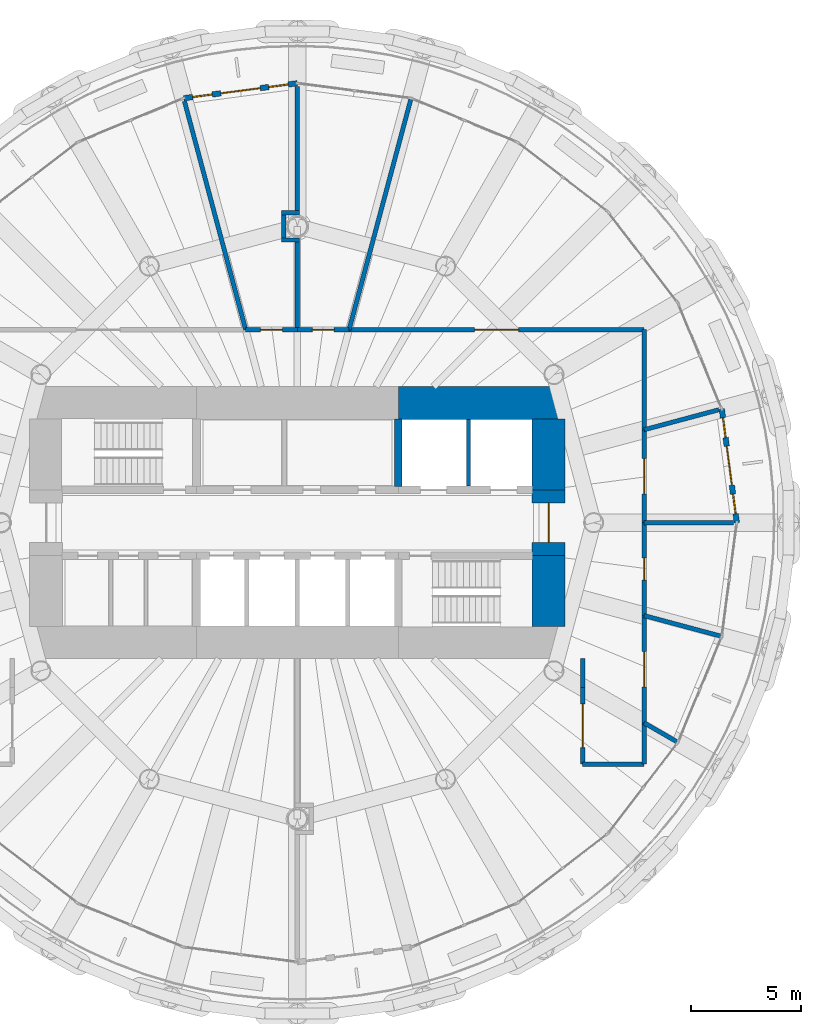
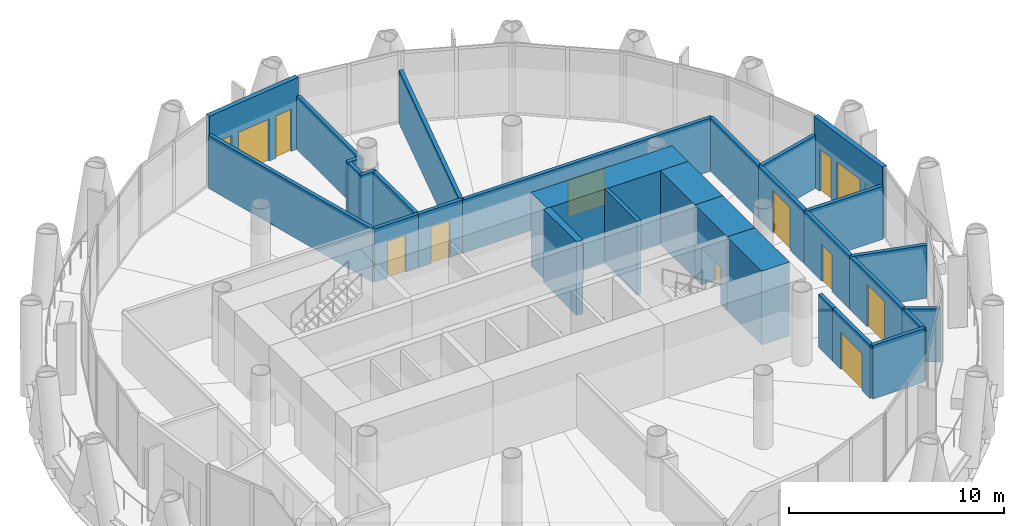
# One storey, part 10 of 14: 30 walls, 10 doors, 4 windows, 14 openings.
"""IFC4 building model written with IfcOpenShell, lengths in metres."""

from ifc_helpers import new_model, si_unit, direction, frame, frame_2d, origin, place, context, subcontext, project, spatial, rectangle, extrude, material, layer, layer_set, type_object, element, fill, save


model = new_model("IFC4")

# Units and contexts
model_context = context("Model", 3, precision=1e-05, world=origin(), true_north=direction((0.0, 1.0)))
body_context = subcontext(model_context, "Body", "Model", "MODEL_VIEW")
ifc_project = project(units=[si_unit("LENGTHUNIT", "METRE"), si_unit("AREAUNIT", "SQUARE_METRE"), si_unit("VOLUMEUNIT", "CUBIC_METRE"), si_unit("PLANEANGLEUNIT", "RADIAN"), si_unit("MASSUNIT", "GRAM", prefix="KILO")], contexts=[model_context])

# Site, building, storey
site_placement = place(None, origin())
site = spatial("IfcSite", under=ifc_project, at=site_placement, CompositionType="ELEMENT")
building_placement = place(site_placement, origin())
building = spatial("IfcBuilding", under=site, at=building_placement, Name="Qaws Media Tower", CompositionType="ELEMENT")
storey_placement = place(building_placement, frame((0.0, 0.0, 240.199951171875)))
storey = spatial("IfcBuildingStorey", under=building, at=storey_placement, Name="L55", CompositionType="ELEMENT", Elevation=240.199951171875)

# Wall, openings, door, windows
ifc_material_1 = material(Name="Precast concrete, exposed finish", Category="concrete")
ifc_layer_1 = layer(ifc_material_1, 0.25)
ifc_layer_set_1 = layer_set([ifc_layer_1], Name="Balcony door wall 250")
wall_type_1 = type_object("IfcWallType", Name="Balcony door wall 250", PredefinedType="SOLIDWALL", material=ifc_layer_set_1)
wall_1_placement = place(storey_placement, frame((80.02490234375, 50.0, 0.0), z_axis=(0.0, 0.0, 1.0), x_axis=(-0.130487131216, 0.99145000307, 0.0)))
wall_1 = element("IfcWall", 1, at=wall_1_placement, inside=storey, type_object=wall_type_1, Name="W259 EW1 balcony door wall L55-01", PredefinedType="SOLIDWALL", context=body_context, shape_type="SweptSolid", body=[
    extrude(rectangle(XDim=5.2275390625, YDim=0.25, at=frame_2d((2.61376953125, 0.0))), origin(), (0.0, 0.0, 1.0), 4.0400390625),
])
opening_1_placement = place(wall_1_placement, frame((1.7138671875, 0.0, 0.0)))
opening_1 = element("IfcOpeningElement", 2, at=opening_1_placement, cuts=wall_1, Name="Opening D7", PredefinedType="OPENING", context=body_context, shape_type="SweptSolid", body=[
    extrude(rectangle(XDim=1.800048828125, YDim=2.39990234375, at=frame_2d((0.89990234375, 1.199951171875))), frame((0.0, 0.135009765625, 0.0), z_axis=(0.0, -1.0, 0.0), x_axis=(1.0, 0.0, 0.0)), (0.0, 0.0, 1.0), 0.27001953125),
])
opening_2_placement = place(wall_1_placement, frame((0.413818359375, 0.0, 0.0)))
opening_2 = element("IfcOpeningElement", 3, at=opening_2_placement, cuts=wall_1, Name="Opening W7", PredefinedType="OPENING", context=body_context, shape_type="SweptSolid", body=[
    extrude(rectangle(XDim=0.89990234375, YDim=2.39990234375, at=frame_2d((0.449951171875, 1.199951171875))), frame((0.0, 0.135009765625, 0.0), z_axis=(0.0, -1.0, 0.0), x_axis=(1.0, 0.0, 0.0)), (0.0, 0.0, 1.0), 0.27001953125),
])
opening_3_placement = place(wall_1_placement, frame((3.913818359375, 0.0, 0.0)))
opening_3 = element("IfcOpeningElement", 4, at=opening_3_placement, cuts=wall_1, Name="Opening W7", PredefinedType="OPENING", context=body_context, shape_type="SweptSolid", body=[
    extrude(rectangle(XDim=0.89990234375, YDim=2.39990234375, at=frame_2d((0.449951171875, 1.199951171875))), frame((0.0, 0.135009765625, 0.0), z_axis=(0.0, -1.0, 0.0), x_axis=(1.0, 0.0, 0.0)), (0.0, 0.0, 1.0), 0.27001953125),
])
ifc_material_2 = material(Name="Aluminium and clear glass", Category="aluminium")
door_type_1 = type_object("IfcDoorType", Name="Balcony door pair 1800", OperationType="DOUBLE_DOOR_SLIDING", PredefinedType="DOOR", material=ifc_material_2)
door_1_placement = place(opening_1_placement, origin())
door_1 = element("IfcDoor", 5, at=door_1_placement, inside=storey, type_object=door_type_1, Name="D7 balcony door L55-01 in wall W259", OperationType="DOUBLE_DOOR_SLIDING", OverallHeight=2.39990234375, OverallWidth=1.800048828125, PredefinedType="DOOR", context=body_context, shape_type="SweptSolid", body=[
    extrude(rectangle(XDim=1.800048828125, YDim=2.39990234375, at=frame_2d((0.89990234375, 1.199951171875))), frame((0.0, 0.02490234375, 0.0), z_axis=(0.0, -1.0, 0.0), x_axis=(1.0, 0.0, 0.0)), (0.0, 0.0, 1.0), 0.050048828125),
])
fill(opening_1, door_1)
ifc_material_3 = material(Name="Aluminium and clear glass", Category="aluminium")
window_type = type_object("IfcWindowType", Name="Balcony side window 900", PartitioningType="SINGLE_PANEL", PredefinedType="WINDOW", material=ifc_material_3)
window_1_placement = place(opening_2_placement, origin())
window_1 = element("IfcWindow", 6, at=window_1_placement, inside=storey, type_object=window_type, Name="W1 balcony side light L55-01L", OverallHeight=2.39990234375, OverallWidth=0.89990234375, PartitioningType="SINGLE_PANEL", PredefinedType="WINDOW", context=body_context, shape_type="SweptSolid", body=[
    extrude(rectangle(XDim=0.89990234375, YDim=2.39990234375, at=frame_2d((0.449951171875, 1.199951171875))), frame((0.0, 0.030029296875, 0.0), z_axis=(0.0, -1.0, 0.0), x_axis=(1.0, 0.0, 0.0)), (0.0, 0.0, 1.0), 0.06005859375),
])
fill(opening_2, window_1)
window_2_placement = place(opening_3_placement, origin())
window_2 = element("IfcWindow", 7, at=window_2_placement, inside=storey, type_object=window_type, Name="W1 balcony side light L55-01R", OverallHeight=2.39990234375, OverallWidth=0.89990234375, PartitioningType="SINGLE_PANEL", PredefinedType="WINDOW", context=body_context, shape_type="SweptSolid", body=[
    extrude(rectangle(XDim=0.89990234375, YDim=2.39990234375, at=frame_2d((0.449951171875, 1.199951171875))), frame((0.0, 0.030029296875, 0.0), z_axis=(0.0, -1.0, 0.0), x_axis=(1.0, 0.0, 0.0)), (0.0, 0.0, 1.0), 0.06005859375),
])
fill(opening_3, window_2)

wall_2_placement = place(storey_placement, frame((60.0, 70.02490234375, 0.0), z_axis=(0.0, 0.0, 1.0), x_axis=(-0.99145000307, -0.130487131216, 0.0)))
wall_2 = element("IfcWall", 8, at=wall_2_placement, inside=storey, type_object=wall_type_1, Name="W258 EW1 balcony door wall L55-07", PredefinedType="SOLIDWALL", context=body_context, shape_type="SweptSolid", body=[
    extrude(rectangle(XDim=5.2275390625, YDim=0.25, at=frame_2d((2.61376953125, 0.0))), origin(), (0.0, 0.0, 1.0), 4.0400390625),
])
opening_4_placement = place(wall_2_placement, frame((1.7138671875, 0.0, 0.0)))
opening_4 = element("IfcOpeningElement", 9, at=opening_4_placement, cuts=wall_2, Name="Opening D7", PredefinedType="OPENING", context=body_context, shape_type="SweptSolid", body=[
    extrude(rectangle(XDim=1.800048828125, YDim=2.39990234375, at=frame_2d((0.89990234375, 1.199951171875))), frame((0.0, 0.135009765625, 0.0), z_axis=(0.0, -1.0, 0.0), x_axis=(1.0, 0.0, 0.0)), (0.0, 0.0, 1.0), 0.27001953125),
])
opening_5_placement = place(wall_2_placement, frame((0.413818359375, 0.0, 0.0)))
opening_5 = element("IfcOpeningElement", 10, at=opening_5_placement, cuts=wall_2, Name="Opening W7", PredefinedType="OPENING", context=body_context, shape_type="SweptSolid", body=[
    extrude(rectangle(XDim=0.89990234375, YDim=2.39990234375, at=frame_2d((0.449951171875, 1.199951171875))), frame((0.0, 0.135009765625, 0.0), z_axis=(0.0, -1.0, 0.0), x_axis=(1.0, 0.0, 0.0)), (0.0, 0.0, 1.0), 0.27001953125),
])
opening_6_placement = place(wall_2_placement, frame((3.913818359375, 0.0, 0.0)))
opening_6 = element("IfcOpeningElement", 11, at=opening_6_placement, cuts=wall_2, Name="Opening W7", PredefinedType="OPENING", context=body_context, shape_type="SweptSolid", body=[
    extrude(rectangle(XDim=0.89990234375, YDim=2.39990234375, at=frame_2d((0.449951171875, 1.199951171875))), frame((0.0, 0.135009765625, 0.0), z_axis=(0.0, -1.0, 0.0), x_axis=(1.0, 0.0, 0.0)), (0.0, 0.0, 1.0), 0.27001953125),
])
door_2_placement = place(opening_4_placement, origin())
door_2 = element("IfcDoor", 12, at=door_2_placement, inside=storey, type_object=door_type_1, Name="D7 balcony door L55-07 in wall W258", OperationType="DOUBLE_DOOR_SLIDING", OverallHeight=2.39990234375, OverallWidth=1.800048828125, PredefinedType="DOOR", context=body_context, shape_type="SweptSolid", body=[
    extrude(rectangle(XDim=1.800048828125, YDim=2.39990234375, at=frame_2d((0.89990234375, 1.199951171875))), frame((0.0, 0.02490234375, 0.0), z_axis=(0.0, -1.0, 0.0), x_axis=(1.0, 0.0, 0.0)), (0.0, 0.0, 1.0), 0.050048828125),
])
fill(opening_4, door_2)
window_3_placement = place(opening_5_placement, origin())
window_3 = element("IfcWindow", 13, at=window_3_placement, inside=storey, type_object=window_type, Name="W1 balcony side light L55-07L", OverallHeight=2.39990234375, OverallWidth=0.89990234375, PartitioningType="SINGLE_PANEL", PredefinedType="WINDOW", context=body_context, shape_type="SweptSolid", body=[
    extrude(rectangle(XDim=0.89990234375, YDim=2.39990234375, at=frame_2d((0.449951171875, 1.199951171875))), frame((0.0, 0.030029296875, 0.0), z_axis=(0.0, -1.0, 0.0), x_axis=(1.0, 0.0, 0.0)), (0.0, 0.0, 1.0), 0.06005859375),
])
fill(opening_5, window_3)
window_4_placement = place(opening_6_placement, origin())
window_4 = element("IfcWindow", 14, at=window_4_placement, inside=storey, type_object=window_type, Name="W1 balcony side light L55-07R", OverallHeight=2.39990234375, OverallWidth=0.89990234375, PartitioningType="SINGLE_PANEL", PredefinedType="WINDOW", context=body_context, shape_type="SweptSolid", body=[
    extrude(rectangle(XDim=0.89990234375, YDim=2.39990234375, at=frame_2d((0.449951171875, 1.199951171875))), frame((0.0, 0.030029296875, 0.0), z_axis=(0.0, -1.0, 0.0), x_axis=(1.0, 0.0, 0.0)), (0.0, 0.0, 1.0), 0.06005859375),
])
fill(opening_6, window_4)

# Walls
ifc_material_4 = material(Name="Concrete C60/75", Category="concrete")
ifc_layer_2 = layer(ifc_material_4, 0.35009765625)
ifc_layer_set_2 = layer_set([ifc_layer_2], Name="Core inner wall 350")
wall_type_2 = type_object("IfcWallType", Name="Core inner wall 350", PredefinedType="SHEAR", material=ifc_layer_set_2)
wall_3_placement = place(storey_placement, frame((64.60009765625, 51.655029296875, 0.0), z_axis=(0.0, 0.0, 1.0), x_axis=(0.0, 1.0, 0.0)))
element("IfcWall", 15, at=wall_3_placement, inside=storey, type_object=wall_type_2, Name="W309 SW5 core wall XNE L55", PredefinedType="SHEAR", context=body_context, shape_type="SweptSolid", body=[
    extrude(rectangle(XDim=3.06494140625, YDim=0.35009765625, at=frame_2d((1.532470703125, 0.0))), origin(), (0.0, 0.0, 1.0), 4.199951171875),
])
ifc_material_5 = material(Name="Concrete C60/75", Category="concrete")
ifc_layer_3 = layer(ifc_material_5, 1.5)
ifc_layer_set_3 = layer_set([ifc_layer_3], Name="Core wall 1500")
wall_type_3 = type_object("IfcWallType", Name="Core wall 1500", PredefinedType="SHEAR", material=ifc_layer_set_3)
wall_4_placement = place(storey_placement, frame((64.60009765625, 55.449951171875, 0.0), z_axis=(0.0, 0.0, 1.0), x_axis=(1.0, 0.0, 0.0)))
element("IfcWall", 16, at=wall_4_placement, inside=storey, type_object=wall_type_3, Name="W382 SW13 core wall NE L55", PredefinedType="SHEAR", context=body_context, shape_type="SweptSolid", body=[
    extrude(rectangle(XDim=7.599853515625, YDim=1.5, at=frame_2d((3.7998046875, 0.0))), origin(), (0.0, 0.0, 1.0), 4.199951171875),
])
wall_5_placement = place(storey_placement, frame((71.449951171875, 45.280029296875, 0.0), z_axis=(0.0, 0.0, 1.0), x_axis=(0.0, 1.0, 0.0)))
element("IfcWall", 17, at=wall_5_placement, inside=storey, type_object=wall_type_3, Name="W383 SW13 core wall ES L55", PredefinedType="SHEAR", context=body_context, shape_type="SweptSolid", body=[
    extrude(rectangle(XDim=3.219970703125, YDim=1.5, at=frame_2d((1.60986328125, 0.0))), origin(), (0.0, 0.0, 1.0), 4.199951171875),
])

# Wall, opening, door
wall_6_placement = place(storey_placement, frame((71.449951171875, 48.5, 0.0), z_axis=(0.0, 0.0, 1.0), x_axis=(0.0, 1.0, 0.0)))
wall_6 = element("IfcWall", 18, at=wall_6_placement, inside=storey, type_object=wall_type_3, Name="W384 SW13 core wall E L55", PredefinedType="SHEAR", context=body_context, shape_type="SweptSolid", body=[
    extrude(rectangle(XDim=3.0, YDim=1.5, at=frame_2d((1.5, 0.0))), origin(), (0.0, 0.0, 1.0), 4.199951171875),
])
opening_7_placement = place(wall_6_placement, frame((0.60009765625, 0.0, 0.0)))
opening_7 = element("IfcOpeningElement", 19, at=opening_7_placement, cuts=wall_6, Name="Opening D2", PredefinedType="OPENING", context=body_context, shape_type="SweptSolid", body=[
    extrude(rectangle(XDim=1.800048828125, YDim=2.10009765625, at=frame_2d((0.89990234375, 1.050048828125))), frame((0.0, 0.760009765625, 0.0), z_axis=(0.0, -1.0, 0.0), x_axis=(1.0, 0.0, 0.0)), (0.0, 0.0, 1.0), 1.52001953125),
])
ifc_material_6 = material(Name="Steel and glass, fire rated", Category="steel")
door_type_2 = type_object("IfcDoorType", Name="Lobby door pair 1800 FD60", OperationType="DOUBLE_DOOR_DOUBLE_SWING", PredefinedType="DOOR", material=ifc_material_6)
door_3_placement = place(opening_7_placement, origin())
door_3 = element("IfcDoor", 20, at=door_3_placement, inside=storey, type_object=door_type_2, Name="D2 core lobby door E L55 in wall W384", OperationType="DOUBLE_DOOR_DOUBLE_SWING", OverallHeight=2.10009765625, OverallWidth=1.800048828125, PredefinedType="DOOR", context=body_context, shape_type="SweptSolid", body=[
    extrude(rectangle(XDim=1.800048828125, YDim=2.10009765625, at=frame_2d((0.89990234375, 1.050048828125))), frame((0.0, 0.02490234375, 0.0), z_axis=(0.0, -1.0, 0.0), x_axis=(1.0, 0.0, 0.0)), (0.0, 0.0, 1.0), 0.050048828125),
])
fill(opening_7, door_3)

# Wall
wall_7_placement = place(storey_placement, frame((71.449951171875, 51.5, 0.0), z_axis=(0.0, 0.0, 1.0), x_axis=(0.0, 1.0, 0.0)))
element("IfcWall", 21, at=wall_7_placement, inside=storey, type_object=wall_type_3, Name="W385 SW13 core wall EN L55", PredefinedType="SHEAR", context=body_context, shape_type="SweptSolid", body=[
    extrude(rectangle(XDim=3.219970703125, YDim=1.5, at=frame_2d((1.60986328125, 0.0))), origin(), (0.0, 0.0, 1.0), 4.199951171875),
])

# Wall, opening, door
ifc_material_7 = material(Name="Gypsum board on galvanised metal studs, acoustic double stud, deflection head", Category="gypsum")
ifc_layer_4 = layer(ifc_material_7, 0.199951171875)
ifc_layer_set_4 = layer_set([ifc_layer_4], Name="Room partition 200")
wall_type_4 = type_object("IfcWallType", Name="Room partition 200", PredefinedType="PARTITIONING", material=ifc_layer_set_4)
wall_8_placement = place(storey_placement, frame((57.64208984375, 58.800048828125, 0.0), z_axis=(0.0, 0.0, 1.0), x_axis=(1.0, 0.0, 0.0)))
wall_8 = element("IfcWall", 22, at=wall_8_placement, inside=storey, type_object=wall_type_4, Name="W1651 IW3 partition L55", PredefinedType="PARTITIONING", context=body_context, shape_type="SweptSolid", body=[
    extrude(rectangle(XDim=2.35791015625, YDim=0.199951171875, at=frame_2d((1.178955078125, 0.0))), origin(), (0.0, 0.0, 1.0), 3.0400390625),
])
opening_8_placement = place(wall_8_placement, frame((0.678955078125, 0.0, 0.0)))
opening_8 = element("IfcOpeningElement", 23, at=opening_8_placement, cuts=wall_8, Name="Opening D5", PredefinedType="OPENING", context=body_context, shape_type="SweptSolid", body=[
    extrude(rectangle(XDim=1.0, YDim=2.10009765625, at=frame_2d((0.5, 1.050048828125))), frame((0.0, 0.10986328125, 0.0), z_axis=(0.0, -1.0, 0.0), x_axis=(1.0, 0.0, 0.0)), (0.0, 0.0, 1.0), 0.219970703125),
])
ifc_material_8 = material(Name="Timber veneered, acoustic seal", Category="wood")
door_type_3 = type_object("IfcDoorType", Name="Room door 1000", OperationType="SINGLE_SWING_LEFT", PredefinedType="DOOR", material=ifc_material_8)
door_4_placement = place(opening_8_placement, origin())
door_4 = element("IfcDoor", 24, at=door_4_placement, inside=storey, type_object=door_type_3, Name="D5 Tenant reception door L55 in wall W1651", OperationType="SINGLE_SWING_LEFT", OverallHeight=2.10009765625, OverallWidth=1.0, PredefinedType="DOOR", context=body_context, shape_type="SweptSolid", body=[
    extrude(rectangle(XDim=1.0, YDim=2.10009765625, at=frame_2d((0.5, 1.050048828125))), frame((0.0, 0.02490234375, 0.0), z_axis=(0.0, -1.0, 0.0), x_axis=(1.0, 0.0, 0.0)), (0.0, 0.0, 1.0), 0.050048828125),
])
fill(opening_8, door_4)

wall_9_placement = place(storey_placement, frame((60.0, 58.800048828125, 0.0), z_axis=(0.0, 0.0, 1.0), x_axis=(1.0, 0.0, 0.0)))
wall_9 = element("IfcWall", 25, at=wall_9_placement, inside=storey, type_object=wall_type_4, Name="W1657 IW3 partition L55", PredefinedType="PARTITIONING", context=body_context, shape_type="SweptSolid", body=[
    extrude(rectangle(XDim=2.35791015625, YDim=0.199951171875, at=frame_2d((1.178955078125, 0.0))), origin(), (0.0, 0.0, 1.0), 3.0400390625),
])
opening_9_placement = place(wall_9_placement, frame((0.678955078125, 0.0, 0.0)))
opening_9 = element("IfcOpeningElement", 26, at=opening_9_placement, cuts=wall_9, Name="Opening D5", PredefinedType="OPENING", context=body_context, shape_type="SweptSolid", body=[
    extrude(rectangle(XDim=1.0, YDim=2.10009765625, at=frame_2d((0.5, 1.050048828125))), frame((0.0, 0.10986328125, 0.0), z_axis=(0.0, -1.0, 0.0), x_axis=(1.0, 0.0, 0.0)), (0.0, 0.0, 1.0), 0.219970703125),
])
door_5_placement = place(opening_9_placement, origin())
door_5 = element("IfcDoor", 27, at=door_5_placement, inside=storey, type_object=door_type_3, Name="D5 Tenant pantry door L55 in wall W1657", OperationType="SINGLE_SWING_LEFT", OverallHeight=2.10009765625, OverallWidth=1.0, PredefinedType="DOOR", context=body_context, shape_type="SweptSolid", body=[
    extrude(rectangle(XDim=1.0, YDim=2.10009765625, at=frame_2d((0.5, 1.050048828125))), frame((0.0, 0.02490234375, 0.0), z_axis=(0.0, -1.0, 0.0), x_axis=(1.0, 0.0, 0.0)), (0.0, 0.0, 1.0), 0.050048828125),
])
fill(opening_9, door_5)

wall_10_placement = place(storey_placement, frame((62.35791015625, 58.800048828125, 0.0), z_axis=(0.0, 0.0, 1.0), x_axis=(1.0, 0.0, 0.0)))
wall_10 = element("IfcWall", 28, at=wall_10_placement, inside=storey, type_object=wall_type_4, Name="W1662 IW3 partition L55", PredefinedType="PARTITIONING", context=body_context, shape_type="SweptSolid", body=[
    extrude(rectangle(XDim=13.442138671875, YDim=0.199951171875, at=frame_2d((6.72119140625, 0.0))), origin(), (0.0, 0.0, 1.0), 3.02001953125),
])
opening_10_placement = place(wall_10_placement, frame((5.720947265625, 0.0, 0.0)))
opening_10 = element("IfcOpeningElement", 29, at=opening_10_placement, cuts=wall_10, Name="Opening D6", PredefinedType="OPENING", context=body_context, shape_type="SweptSolid", body=[
    extrude(rectangle(XDim=2.0, YDim=2.10009765625, at=frame_2d((1.0, 1.050048828125))), frame((0.0, 0.10986328125, 0.0), z_axis=(0.0, -1.0, 0.0), x_axis=(1.0, 0.0, 0.0)), (0.0, 0.0, 1.0), 0.219970703125),
])
ifc_material_9 = material(Name="Steel, acoustic, fire rated", Category="steel")
door_type_4 = type_object("IfcDoorType", Name="Room door pair 2000", OperationType="DOUBLE_DOOR_DOUBLE_SWING", PredefinedType="DOOR", material=ifc_material_9)
door_6_placement = place(opening_10_placement, origin())
door_6 = element("IfcDoor", 30, at=door_6_placement, inside=storey, type_object=door_type_4, Name="D6 Tenant office door L55 in wall W1662", OperationType="DOUBLE_DOOR_DOUBLE_SWING", OverallHeight=2.10009765625, OverallWidth=2.0, PredefinedType="DOOR", context=body_context, shape_type="SweptSolid", body=[
    extrude(rectangle(XDim=2.0, YDim=2.10009765625, at=frame_2d((1.0, 1.050048828125))), frame((0.0, 0.02490234375, 0.0), z_axis=(0.0, -1.0, 0.0), x_axis=(1.0, 0.0, 0.0)), (0.0, 0.0, 1.0), 0.050048828125),
])
fill(opening_10, door_6)

# Wall
wall_11_placement = place(storey_placement, frame((75.800048828125, 58.800048828125, 0.0), z_axis=(0.0, 0.0, 1.0), x_axis=(0.0, -1.0, 0.0)))
element("IfcWall", 31, at=wall_11_placement, inside=storey, type_object=wall_type_4, Name="W1625 IW3 partition L55", PredefinedType="PARTITIONING", context=body_context, shape_type="SweptSolid", body=[
    extrude(rectangle(XDim=4.56640625, YDim=0.199951171875, at=frame_2d((2.283203125, 0.0))), origin(), (0.0, 0.0, 1.0), 3.02001953125),
])

# Wall, opening, door
wall_12_placement = place(storey_placement, frame((75.800048828125, 54.233642578125, 0.0), z_axis=(0.0, 0.0, 1.0), x_axis=(0.0, -1.0, 0.0)))
wall_12 = element("IfcWall", 32, at=wall_12_placement, inside=storey, type_object=wall_type_4, Name="W1624 IW3 partition L55", PredefinedType="PARTITIONING", context=body_context, shape_type="SweptSolid", body=[
    extrude(rectangle(XDim=4.233642578125, YDim=0.199951171875, at=frame_2d((2.11669921875, 0.0))), origin(), (0.0, 0.0, 1.0), 3.02001953125),
])
opening_11_placement = place(wall_12_placement, frame((1.31689453125, 0.0, 0.0)))
opening_11 = element("IfcOpeningElement", 33, at=opening_11_placement, cuts=wall_12, Name="Opening D16", PredefinedType="OPENING", context=body_context, shape_type="SweptSolid", body=[
    extrude(rectangle(XDim=1.60009765625, YDim=2.39990234375, at=frame_2d((0.800048828125, 1.199951171875))), frame((0.0, 0.10986328125, 0.0), z_axis=(0.0, -1.0, 0.0), x_axis=(1.0, 0.0, 0.0)), (0.0, 0.0, 1.0), 0.219970703125),
])
ifc_material_10 = material(Name="Glazed aluminium, fire rated", Category="aluminium")
door_type_5 = type_object("IfcDoorType", Name="Tenant entrance door pair 1600x2400", OperationType="DOUBLE_DOOR_DOUBLE_SWING", PredefinedType="DOOR", material=ifc_material_10)
door_7_placement = place(opening_11_placement, origin())
door_7 = element("IfcDoor", 34, at=door_7_placement, inside=storey, type_object=door_type_5, Name="D16 Tenant reception door L55 in wall W1624", OperationType="DOUBLE_DOOR_DOUBLE_SWING", OverallHeight=2.39990234375, OverallWidth=1.60009765625, PredefinedType="DOOR", context=body_context, shape_type="SweptSolid", body=[
    extrude(rectangle(XDim=1.60009765625, YDim=2.39990234375, at=frame_2d((0.800048828125, 1.199951171875))), frame((0.0, 0.02490234375, 0.0), z_axis=(0.0, -1.0, 0.0), x_axis=(1.0, 0.0, 0.0)), (0.0, 0.0, 1.0), 0.050048828125),
])
fill(opening_11, door_7)

wall_13_placement = place(storey_placement, frame((75.800048828125, 50.0, 0.0), z_axis=(0.0, 0.0, 1.0), x_axis=(0.0, -1.0, 0.0)))
wall_13 = element("IfcWall", 35, at=wall_13_placement, inside=storey, type_object=wall_type_4, Name="W1623 IW3 partition L55", PredefinedType="PARTITIONING", context=body_context, shape_type="SweptSolid", body=[
    extrude(rectangle(XDim=4.233642578125, YDim=0.199951171875, at=frame_2d((2.11669921875, 0.0))), origin(), (0.0, 0.0, 1.0), 3.02001953125),
])
opening_12_placement = place(wall_13_placement, frame((1.61669921875, 0.0, 0.0)))
opening_12 = element("IfcOpeningElement", 36, at=opening_12_placement, cuts=wall_13, Name="Opening D5", PredefinedType="OPENING", context=body_context, shape_type="SweptSolid", body=[
    extrude(rectangle(XDim=1.0, YDim=2.10009765625, at=frame_2d((0.5, 1.050048828125))), frame((0.0, 0.10986328125, 0.0), z_axis=(0.0, -1.0, 0.0), x_axis=(1.0, 0.0, 0.0)), (0.0, 0.0, 1.0), 0.219970703125),
])
door_8_placement = place(opening_12_placement, origin())
door_8 = element("IfcDoor", 37, at=door_8_placement, inside=storey, type_object=door_type_3, Name="D5 Tenant pantry door L55 in wall W1623", OperationType="SINGLE_SWING_LEFT", OverallHeight=2.10009765625, OverallWidth=1.0, PredefinedType="DOOR", context=body_context, shape_type="SweptSolid", body=[
    extrude(rectangle(XDim=1.0, YDim=2.10009765625, at=frame_2d((0.5, 1.050048828125))), frame((0.0, 0.02490234375, 0.0), z_axis=(0.0, -1.0, 0.0), x_axis=(1.0, 0.0, 0.0)), (0.0, 0.0, 1.0), 0.050048828125),
])
fill(opening_12, door_8)

wall_14_placement = place(storey_placement, frame((75.800048828125, 45.766357421875, 0.0), z_axis=(0.0, 0.0, 1.0), x_axis=(0.0, -1.0, 0.0)))
wall_14 = element("IfcWall", 38, at=wall_14_placement, inside=storey, type_object=wall_type_4, Name="W1622 IW3 partition L55", PredefinedType="PARTITIONING", context=body_context, shape_type="SweptSolid", body=[
    extrude(rectangle(XDim=4.888427734375, YDim=0.199951171875, at=frame_2d((2.4443359375, 0.0))), origin(), (0.0, 0.0, 1.0), 3.02001953125),
])
opening_13_placement = place(wall_14_placement, frame((1.644287109375, 0.0, 0.0)))
opening_13 = element("IfcOpeningElement", 39, at=opening_13_placement, cuts=wall_14, Name="Opening D16", PredefinedType="OPENING", context=body_context, shape_type="SweptSolid", body=[
    extrude(rectangle(XDim=1.60009765625, YDim=2.39990234375, at=frame_2d((0.800048828125, 1.199951171875))), frame((0.0, 0.10986328125, 0.0), z_axis=(0.0, -1.0, 0.0), x_axis=(1.0, 0.0, 0.0)), (0.0, 0.0, 1.0), 0.219970703125),
])
door_9_placement = place(opening_13_placement, origin())
door_9 = element("IfcDoor", 40, at=door_9_placement, inside=storey, type_object=door_type_5, Name="D16 Tenant reception door L55 in wall W1622", OperationType="DOUBLE_DOOR_DOUBLE_SWING", OverallHeight=2.39990234375, OverallWidth=1.60009765625, PredefinedType="DOOR", context=body_context, shape_type="SweptSolid", body=[
    extrude(rectangle(XDim=1.60009765625, YDim=2.39990234375, at=frame_2d((0.800048828125, 1.199951171875))), frame((0.0, 0.02490234375, 0.0), z_axis=(0.0, -1.0, 0.0), x_axis=(1.0, 0.0, 0.0)), (0.0, 0.0, 1.0), 0.050048828125),
])
fill(opening_13, door_9)

# Walls
wall_15_placement = place(storey_placement, frame((75.800048828125, 40.8779296875, 0.0), z_axis=(0.0, 0.0, 1.0), x_axis=(0.0, -1.0, 0.0)))
element("IfcWall", 41, at=wall_15_placement, inside=storey, type_object=wall_type_4, Name="W1621 IW3 partition L55", PredefinedType="PARTITIONING", context=body_context, shape_type="SweptSolid", body=[
    extrude(rectangle(XDim=1.8779296875, YDim=0.199951171875, at=frame_2d((0.93896484375, 0.0))), origin(), (0.0, 0.0, 1.0), 3.02001953125),
])
wall_16_placement = place(storey_placement, frame((75.800048828125, 39.0, 0.0), z_axis=(0.0, 0.0, 1.0), x_axis=(-1.0, 0.0, 0.0)))
element("IfcWall", 42, at=wall_16_placement, inside=storey, type_object=wall_type_4, Name="W1231 IW3 partition L55", PredefinedType="PARTITIONING", context=body_context, shape_type="SweptSolid", body=[
    extrude(rectangle(XDim=2.800048828125, YDim=0.199951171875, at=frame_2d((1.39990234375, 0.0))), origin(), (0.0, 0.0, 1.0), 3.0400390625),
])

# Wall, opening, door
wall_17_placement = place(storey_placement, frame((73.0, 39.0, 0.0), z_axis=(0.0, 0.0, 1.0), x_axis=(0.0, 1.0, 0.0)))
wall_17 = element("IfcWall", 43, at=wall_17_placement, inside=storey, type_object=wall_type_4, Name="W1602 IW3 partition L55", PredefinedType="PARTITIONING", context=body_context, shape_type="SweptSolid", body=[
    extrude(rectangle(XDim=3.494384765625, YDim=0.199951171875, at=frame_2d((1.7470703125, 0.0))), origin(), (0.0, 0.0, 1.0), 3.02001953125),
])
opening_14_placement = place(wall_17_placement, frame((0.747314453125, 0.0, 0.0)))
opening_14 = element("IfcOpeningElement", 44, at=opening_14_placement, cuts=wall_17, Name="Opening D6", PredefinedType="OPENING", context=body_context, shape_type="SweptSolid", body=[
    extrude(rectangle(XDim=2.0, YDim=2.10009765625, at=frame_2d((1.0, 1.050048828125))), frame((0.0, 0.10986328125, 0.0), z_axis=(0.0, -1.0, 0.0), x_axis=(1.0, 0.0, 0.0)), (0.0, 0.0, 1.0), 0.219970703125),
])
door_10_placement = place(opening_14_placement, origin())
door_10 = element("IfcDoor", 45, at=door_10_placement, inside=storey, type_object=door_type_4, Name="D6 Tenant office door L55 in wall W1602", OperationType="DOUBLE_DOOR_DOUBLE_SWING", OverallHeight=2.10009765625, OverallWidth=2.0, PredefinedType="DOOR", context=body_context, shape_type="SweptSolid", body=[
    extrude(rectangle(XDim=2.0, YDim=2.10009765625, at=frame_2d((1.0, 1.050048828125))), frame((0.0, 0.02490234375, 0.0), z_axis=(0.0, -1.0, 0.0), x_axis=(1.0, 0.0, 0.0)), (0.0, 0.0, 1.0), 0.050048828125),
])
fill(opening_14, door_10)

# Walls
wall_18_placement = place(storey_placement, frame((73.0, 42.494384765625, 0.0), z_axis=(0.0, 0.0, 1.0), x_axis=(0.0, 1.0, 0.0)))
element("IfcWall", 46, at=wall_18_placement, inside=storey, type_object=wall_type_4, Name="W1603 IW3 partition L55", PredefinedType="PARTITIONING", context=body_context, shape_type="SweptSolid", body=[
    extrude(rectangle(XDim=1.3056640625, YDim=0.199951171875, at=frame_2d((0.65283203125, 0.0))), origin(), (0.0, 0.0, 1.0), 3.02001953125),
])
wall_19_placement = place(storey_placement, frame((75.800048828125, 50.0, 0.0), z_axis=(0.0, 0.0, 1.0), x_axis=(1.0, 0.0, 0.0)))
element("IfcWall", 47, at=wall_19_placement, inside=storey, type_object=wall_type_4, Name="W1664 IW3 partition L55", PredefinedType="PARTITIONING", context=body_context, shape_type="SweptSolid", body=[
    extrude(rectangle(XDim=4.0849609375, YDim=0.199951171875, at=frame_2d((2.04248046875, 0.0))), origin(), (0.0, 0.0, 1.0), 3.02001953125),
])
wall_20_placement = place(storey_placement, frame((75.802490234375, 54.234375, 0.0), z_axis=(0.0, 0.0, 1.0), x_axis=(0.965944651358, 0.258748778768, 0.0)))
element("IfcWall", 48, at=wall_20_placement, inside=storey, type_object=wall_type_4, Name="W1666 IW3 partition L55", PredefinedType="PARTITIONING", context=body_context, shape_type="SweptSolid", body=[
    extrude(rectangle(XDim=3.525146484375, YDim=0.199951171875, at=frame_2d((1.7626953125, 0.0))), origin(), (0.0, 0.0, 1.0), 3.02001953125),
])
wall_21_placement = place(storey_placement, frame((62.355224609375, 58.789794921875, 0.0), z_axis=(0.0, 0.0, 1.0), x_axis=(0.25882950996, 0.965923022178, 0.0)))
element("IfcWall", 49, at=wall_21_placement, inside=storey, type_object=wall_type_4, Name="W1661 IW3 partition L55", PredefinedType="PARTITIONING", context=body_context, shape_type="SweptSolid", body=[
    extrude(rectangle(XDim=10.885009765625, YDim=0.199951171875, at=frame_2d((5.4423828125, 0.0))), origin(), (0.0, 0.0, 1.0), 3.02001953125),
])
for number, where, z_axis, x_axis, name in (
    (50, (60.10009765625, 62.883056640625, 0.0), (0.0, 0.0, 1.0), (-1.0, 0.0, 0.0), "W1659 IW3 partition return L55"),
    (51, (60.10009765625, 64.116943359375, 0.0), (0.0, 0.0, 1.0), (-1.0, 0.0, 0.0), "W1660 IW3 partition return L55"),
):
    element("IfcWall", number, at=place(storey_placement, frame(where, z_axis=z_axis, x_axis=x_axis)), inside=storey, type_object=wall_type_4, Name=name, PredefinedType="PARTITIONING", context=body_context, shape_type="SweptSolid", body=[
        extrude(rectangle(XDim=0.8271484375, YDim=0.199951171875, at=frame_2d((0.41357421875, 0.0))), origin(), (0.0, 0.0, 1.0), 3.02001953125),
    ])
wall_22_placement = place(storey_placement, frame((59.373046875, 62.98291015625, 0.0), z_axis=(0.0, 0.0, 1.0), x_axis=(0.0, 1.0, 0.0)))
element("IfcWall", 52, at=wall_22_placement, inside=storey, type_object=wall_type_4, Name="W1653 IW3 partition return L55", PredefinedType="PARTITIONING", context=body_context, shape_type="SweptSolid", body=[
    extrude(rectangle(XDim=1.0341796875, YDim=0.199951171875, at=frame_2d((0.51708984375, 0.0))), origin(), (0.0, 0.0, 1.0), 3.02001953125),
])
wall_23_placement = place(storey_placement, frame((60.0, 58.800048828125, 0.0), z_axis=(0.0, 0.0, 1.0), x_axis=(0.0, 1.0, 0.0)))
element("IfcWall", 53, at=wall_23_placement, inside=storey, type_object=wall_type_4, Name="W1656 IW3 partition L55", PredefinedType="PARTITIONING", context=body_context, shape_type="SweptSolid", body=[
    extrude(rectangle(XDim=3.98291015625, YDim=0.199951171875, at=frame_2d((1.991455078125, 0.0))), origin(), (0.0, 0.0, 1.0), 3.0400390625),
])
wall_24_placement = place(storey_placement, frame((60.0, 64.217041015625, 0.0), z_axis=(0.0, 0.0, 1.0), x_axis=(0.0, 1.0, 0.0)))
element("IfcWall", 54, at=wall_24_placement, inside=storey, type_object=wall_type_4, Name="W1658 IW3 partition L55", PredefinedType="PARTITIONING", context=body_context, shape_type="SweptSolid", body=[
    extrude(rectangle(XDim=5.66796875, YDim=0.199951171875, at=frame_2d((2.833984375, 0.0))), origin(), (0.0, 0.0, 1.0), 3.02001953125),
])
wall_25_placement = place(storey_placement, frame((57.644775390625, 58.789794921875, 0.0), z_axis=(0.0, 0.0, 1.0), x_axis=(-0.25880510588, 0.965929561185, 0.0)))
element("IfcWall", 55, at=wall_25_placement, inside=storey, type_object=wall_type_4, Name="W1652 IW3 partition L55", PredefinedType="PARTITIONING", context=body_context, shape_type="SweptSolid", body=[
    extrude(rectangle(XDim=10.78515625, YDim=0.199951171875, at=frame_2d((5.392578125, 0.0))), origin(), (0.0, 0.0, 1.0), 3.02001953125),
])
wall_26_placement = place(storey_placement, frame((75.79638671875, 40.8798828125, 0.0), z_axis=(0.0, 0.0, 1.0), x_axis=(0.866073756611, -0.499916241094, 0.0)))
element("IfcWall", 56, at=wall_26_placement, inside=storey, type_object=wall_type_4, Name="W1663 IW3 partition L55", PredefinedType="PARTITIONING", context=body_context, shape_type="SweptSolid", body=[
    extrude(rectangle(XDim=1.744873046875, YDim=0.199951171875, at=frame_2d((0.87255859375, 0.0))), origin(), (0.0, 0.0, 1.0), 3.02001953125),
])
wall_27_placement = place(storey_placement, frame((75.802490234375, 45.765625, 0.0), z_axis=(0.0, 0.0, 1.0), x_axis=(0.965924602504, -0.258823612287, 0.0)))
element("IfcWall", 57, at=wall_27_placement, inside=storey, type_object=wall_type_4, Name="W1665 IW3 partition L55", PredefinedType="PARTITIONING", context=body_context, shape_type="SweptSolid", body=[
    extrude(rectangle(XDim=3.625, YDim=0.199951171875, at=frame_2d((1.8125, 0.0))), origin(), (0.0, 0.0, 1.0), 3.02001953125),
])
ifc_material_11 = material(Name="Fire-rated gypsum board shaft wall on galvanised metal studs, deflection head", Category="gypsum")
ifc_layer_5 = layer(ifc_material_11, 0.199951171875)
ifc_layer_set_5 = layer_set([ifc_layer_5], Name="Shaft wall 200")
wall_type_5 = type_object("IfcWallType", Name="Shaft wall 200", PredefinedType="PARTITIONING", material=ifc_layer_set_5)
wall_28_placement = place(storey_placement, frame((67.800048828125, 51.675048828125, 0.0), z_axis=(0.0, 0.0, 1.0), x_axis=(0.0, 1.0, 0.0)))
element("IfcWall", 58, at=wall_28_placement, inside=storey, type_object=wall_type_5, Name="W1874 IW1 shaft wall FL L55", PredefinedType="PARTITIONING", context=body_context, shape_type="SweptSolid", body=[
    extrude(rectangle(XDim=3.02490234375, YDim=0.199951171875, at=frame_2d((1.512451171875, 0.0))), origin(), (0.0, 0.0, 1.0), 4.199951171875),
])

save(model, "model.ifc")
